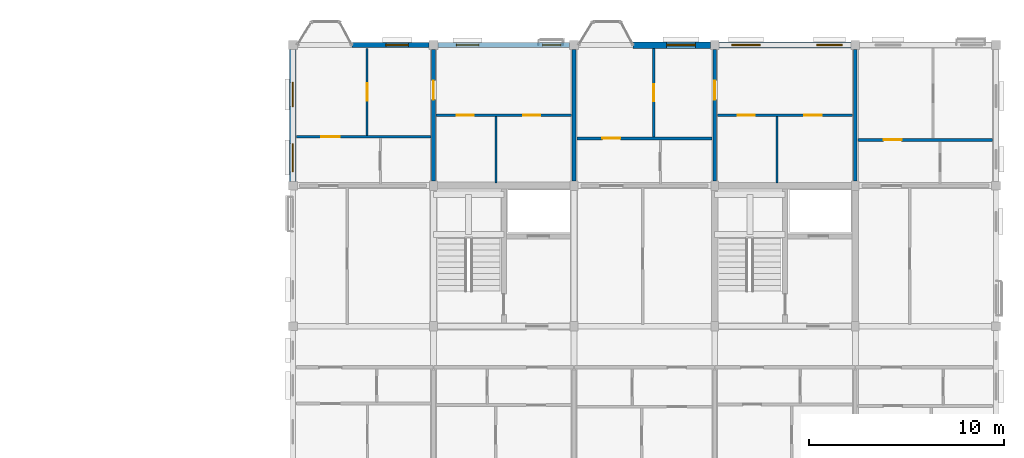
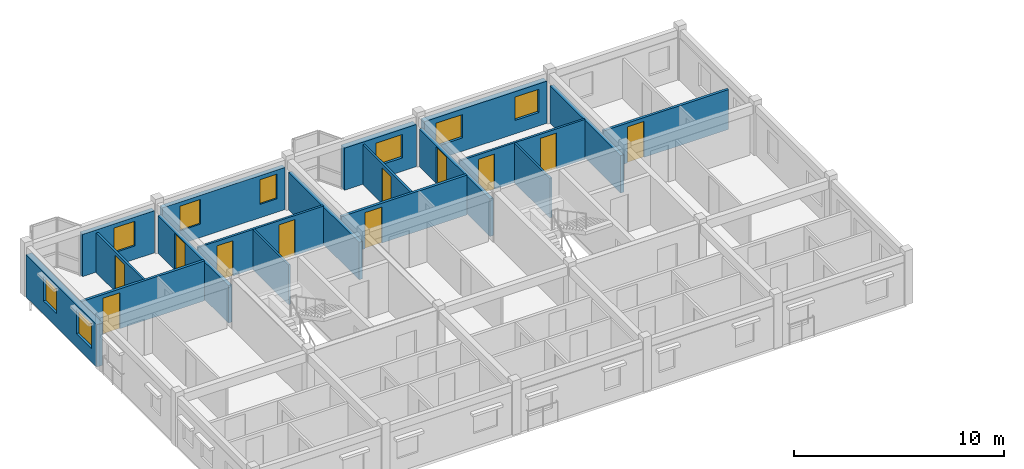
# One storey, part 24 of 28: 18 walls, 11 doors, 8 windows, 19 openings.
"""IFC4 building model written with IfcOpenShell, lengths in metres."""

from ifc_helpers import new_model, si_unit, direction, frame, frame_2d, origin, place, context, subcontext, project, spatial, rectangle, extrude, material, layer, layer_set, type_object, element, fill, save


model = new_model("IFC4")

# Units and contexts
model_context = context("Model", 3, precision=1e-05, world=origin(), true_north=direction((0.0, 1.0)))
body_context = subcontext(model_context, "Body", "Model", "MODEL_VIEW")
ifc_project = project(units=[si_unit("LENGTHUNIT", "METRE"), si_unit("AREAUNIT", "SQUARE_METRE"), si_unit("VOLUMEUNIT", "CUBIC_METRE"), si_unit("PLANEANGLEUNIT", "RADIAN"), si_unit("MASSUNIT", "GRAM", prefix="KILO"), si_unit("THERMODYNAMICTEMPERATUREUNIT", "KELVIN"), si_unit("POWERUNIT", "WATT")], contexts=[model_context])

# Site, building, storey
site_placement = place(None, origin())
site = spatial("IfcSite", under=ifc_project, at=site_placement, CompositionType="ELEMENT")
building_placement = place(site_placement, origin())
building = spatial("IfcBuilding", under=site, at=building_placement, Name="Tavuni Mirador Residences", CompositionType="ELEMENT")
storey_placement = place(building_placement, frame((0.0, 0.0, 39.14990234375)))
storey = spatial("IfcBuildingStorey", under=building, at=storey_placement, Name="L12", CompositionType="ELEMENT", Elevation=39.14990234375)

# Wall, opening, window
ifc_material_1 = material(Name="Precast concrete C40/50", Category="concrete")
ifc_layer_1 = layer(ifc_material_1, 0.330078125, Name="Precast concrete C40/50", Category="concrete")
ifc_layer_set_1 = layer_set([ifc_layer_1], Name="Precast concrete C40/50")
wall_type_1 = type_object("IfcWallType", Name="WT-EXT-COR330", PredefinedType="SOLIDWALL", material=ifc_layer_set_1)
wall_1_placement = place(storey_placement, frame((39.375, 172.800048828125, 0.0), z_axis=(0.0, 0.0, 1.0), x_axis=(-1.0, 0.0, 0.0)))
wall_1 = element("IfcWall", 1, at=wall_1_placement, inside=storey, type_object=wall_type_1, Name="EW-BLK-C-L12-N02", PredefinedType="SOLIDWALL", context=body_context, shape_type="SweptSolid", body=[
    extrude(rectangle(XDim=3.955078125, YDim=0.330078125, at=frame_2d((1.9775390625, 0.0))), origin(), (0.0, 0.0, 1.0), 2.455078125),
])
opening_1_placement = place(wall_1_placement, frame((0.7724609375, 0.0, 0.780029296875)))
opening_1 = element("IfcOpeningElement", 2, at=opening_1_placement, cuts=wall_1, Name="Opening WN-24", PredefinedType="OPENING", context=body_context, shape_type="SweptSolid", body=[
    extrude(rectangle(XDim=1.4599609375, YDim=1.360107421875, at=frame_2d((0.72998046875, 0.68017578125))), frame((0.0, 0.175048828125, 0.0), z_axis=(0.0, -1.0, 0.0), x_axis=(1.0, 0.0, 0.0)), (0.0, 0.0, 1.0), 0.35009765625),
])
ifc_material_2 = material(Name="Laminated solar-control glass", Category="glass")
window_type_1 = type_object("IfcWindowType", Name="WNT-24", PartitioningType="SINGLE_PANEL", PredefinedType="WINDOW", material=ifc_material_2)
window_1_placement = place(opening_1_placement, origin())
window_1 = element("IfcWindow", 3, at=window_1_placement, inside=storey, type_object=window_type_1, Name="WIN-1361", OverallHeight=1.360107421875, OverallWidth=1.4599609375, PartitioningType="SINGLE_PANEL", PredefinedType="WINDOW", context=body_context, shape_type="SweptSolid", body=[
    extrude(rectangle(XDim=1.4599609375, YDim=1.360107421875, at=frame_2d((0.72998046875, 0.68017578125))), frame((0.0, 0.030029296875, 0.0), z_axis=(0.0, -1.0, 0.0), x_axis=(1.0, 0.0, 0.0)), (0.0, 0.0, 1.0), 0.06005859375),
])
fill(opening_1, window_1)

# Wall, openings, windows
wall_2_placement = place(storey_placement, frame((18.0, 172.574951171875, 0.0), z_axis=(0.0, 0.0, 1.0), x_axis=(0.0, -1.0, 0.0)))
wall_2 = element("IfcWall", 4, at=wall_2_placement, inside=storey, type_object=wall_type_1, Name="EW-BLK-C-L12-W02", PredefinedType="SOLIDWALL", context=body_context, shape_type="SweptSolid", body=[
    extrude(rectangle(XDim=6.75, YDim=0.330078125, at=frame_2d((3.375, 0.0))), origin(), (0.0, 0.0, 1.0), 2.455078125),
])
opening_2_placement = place(wall_2_placement, frame((1.6826171875, 0.0, 0.780029296875)))
opening_2 = element("IfcOpeningElement", 5, at=opening_2_placement, cuts=wall_2, Name="Opening WN-28", PredefinedType="OPENING", context=body_context, shape_type="SweptSolid", body=[
    extrude(rectangle(XDim=1.25, YDim=1.43994140625, at=frame_2d((0.625, 0.719970703125))), frame((0.0, 0.175048828125, 0.0), z_axis=(0.0, -1.0, 0.0), x_axis=(1.0, 0.0, 0.0)), (0.0, 0.0, 1.0), 0.35009765625),
])
opening_3_placement = place(wall_2_placement, frame((4.8173828125, 0.0, 0.780029296875)))
opening_3 = element("IfcOpeningElement", 6, at=opening_3_placement, cuts=wall_2, Name="Opening WN-30", PredefinedType="OPENING", context=body_context, shape_type="SweptSolid", body=[
    extrude(rectangle(XDim=1.449951171875, YDim=1.43994140625, at=frame_2d((0.72509765625, 0.719970703125))), frame((0.0, 0.175048828125, 0.0), z_axis=(0.0, -1.0, 0.0), x_axis=(1.0, 0.0, 0.0)), (0.0, 0.0, 1.0), 0.35009765625),
])
window_type_2 = type_object("IfcWindowType", Name="WNT-28", PartitioningType="SINGLE_PANEL", PredefinedType="WINDOW", material=ifc_material_2)
window_2_placement = place(opening_2_placement, origin())
window_2 = element("IfcWindow", 7, at=window_2_placement, inside=storey, type_object=window_type_2, Name="WIN-1365", OverallHeight=1.43994140625, OverallWidth=1.25, PartitioningType="SINGLE_PANEL", PredefinedType="WINDOW", context=body_context, shape_type="SweptSolid", body=[
    extrude(rectangle(XDim=1.25, YDim=1.43994140625, at=frame_2d((0.625, 0.719970703125))), frame((0.0, 0.030029296875, 0.0), z_axis=(0.0, -1.0, 0.0), x_axis=(1.0, 0.0, 0.0)), (0.0, 0.0, 1.0), 0.06005859375),
])
fill(opening_2, window_2)
window_type_3 = type_object("IfcWindowType", Name="WNT-30", PartitioningType="SINGLE_PANEL", PredefinedType="WINDOW", material=ifc_material_2)
window_3_placement = place(opening_3_placement, origin())
window_3 = element("IfcWindow", 8, at=window_3_placement, inside=storey, type_object=window_type_3, Name="WIN-1366", OverallHeight=1.43994140625, OverallWidth=1.449951171875, PartitioningType="SINGLE_PANEL", PredefinedType="WINDOW", context=body_context, shape_type="SweptSolid", body=[
    extrude(rectangle(XDim=1.449951171875, YDim=1.43994140625, at=frame_2d((0.72509765625, 0.719970703125))), frame((0.0, 0.030029296875, 0.0), z_axis=(0.0, -1.0, 0.0), x_axis=(1.0, 0.0, 0.0)), (0.0, 0.0, 1.0), 0.06005859375),
])
fill(opening_3, window_3)

ifc_material_3 = material(Name="Sgraffito lime-rendered precast concrete C40/50", Category="concrete")
ifc_layer_2 = layer(ifc_material_3, 0.2451171875, Name="Sgraffito lime-rendered precast concrete C40/50", Category="concrete")
ifc_layer_set_2 = layer_set([ifc_layer_2], Name="Sgraffito lime-rendered precast concrete C40/50")
wall_type_2 = type_object("IfcWallType", Name="WT-EXT-PC245", PredefinedType="SOLIDWALL", material=ifc_layer_set_2)
wall_3_placement = place(storey_placement, frame((32.175048828125, 172.800048828125, 0.0), z_axis=(0.0, 0.0, 1.0), x_axis=(-1.0, 0.0, 0.0)))
wall_3 = element("IfcWall", 9, at=wall_3_placement, inside=storey, type_object=wall_type_2, Name="EW-BLK-C-L12-N01", PredefinedType="SOLIDWALL", context=body_context, shape_type="SweptSolid", body=[
    extrude(rectangle(XDim=6.75, YDim=0.2451171875, at=frame_2d((3.375, 0.0))), origin(), (0.0, 0.0, 1.0), 2.455078125),
])
opening_4_placement = place(wall_3_placement, frame((0.449951171875, 0.0, 0.780029296875)))
opening_4 = element("IfcOpeningElement", 10, at=opening_4_placement, cuts=wall_3, Name="Opening WN-25", PredefinedType="OPENING", context=body_context, shape_type="SweptSolid", body=[
    extrude(rectangle(XDim=0.93994140625, YDim=1.43994140625, at=frame_2d((0.469970703125, 0.719970703125))), frame((0.0, 0.132568359375, 0.0), z_axis=(0.0, -1.0, 0.0), x_axis=(1.0, 0.0, 0.0)), (0.0, 0.0, 1.0), 0.26513671875),
])
opening_5_placement = place(wall_3_placement, frame((4.64990234375, 0.0, 0.780029296875)))
opening_5 = element("IfcOpeningElement", 11, at=opening_5_placement, cuts=wall_3, Name="Opening WN-27", PredefinedType="OPENING", context=body_context, shape_type="SweptSolid", body=[
    extrude(rectangle(XDim=1.14990234375, YDim=1.43994140625, at=frame_2d((0.574951171875, 0.719970703125))), frame((0.0, 0.132568359375, 0.0), z_axis=(0.0, -1.0, 0.0), x_axis=(1.0, 0.0, 0.0)), (0.0, 0.0, 1.0), 0.26513671875),
])
window_type_4 = type_object("IfcWindowType", Name="WNT-25", PartitioningType="SINGLE_PANEL", PredefinedType="WINDOW", material=ifc_material_2)
window_4_placement = place(opening_4_placement, origin())
window_4 = element("IfcWindow", 12, at=window_4_placement, inside=storey, type_object=window_type_4, Name="WIN-1362", OverallHeight=1.43994140625, OverallWidth=0.93994140625, PartitioningType="SINGLE_PANEL", PredefinedType="WINDOW", context=body_context, shape_type="SweptSolid", body=[
    extrude(rectangle(XDim=0.93994140625, YDim=1.43994140625, at=frame_2d((0.469970703125, 0.719970703125))), frame((0.0, 0.030029296875, 0.0), z_axis=(0.0, -1.0, 0.0), x_axis=(1.0, 0.0, 0.0)), (0.0, 0.0, 1.0), 0.06005859375),
])
fill(opening_4, window_4)
window_type_5 = type_object("IfcWindowType", Name="WNT-27", PartitioningType="SINGLE_PANEL", PredefinedType="WINDOW", material=ifc_material_2)
window_5_placement = place(opening_5_placement, origin())
window_5 = element("IfcWindow", 13, at=window_5_placement, inside=storey, type_object=window_type_5, Name="WIN-1363", OverallHeight=1.43994140625, OverallWidth=1.14990234375, PartitioningType="SINGLE_PANEL", PredefinedType="WINDOW", context=body_context, shape_type="SweptSolid", body=[
    extrude(rectangle(XDim=1.14990234375, YDim=1.43994140625, at=frame_2d((0.574951171875, 0.719970703125))), frame((0.0, 0.030029296875, 0.0), z_axis=(0.0, -1.0, 0.0), x_axis=(1.0, 0.0, 0.0)), (0.0, 0.0, 1.0), 0.06005859375),
])
fill(opening_5, window_5)

# Wall, opening, window
ifc_layer_3 = layer(ifc_material_3, 0.2548828125, Name="Sgraffito lime-rendered precast concrete C40/50", Category="concrete")
ifc_layer_set_3 = layer_set([ifc_layer_3], Name="Sgraffito lime-rendered precast concrete C40/50")
wall_type_3 = type_object("IfcWallType", Name="WT-EXT-PC255", PredefinedType="SOLIDWALL", material=ifc_layer_set_3)
wall_4_placement = place(storey_placement, frame((24.97509765625, 172.800048828125, 0.0), z_axis=(0.0, 0.0, 1.0), x_axis=(-1.0, 0.0, 0.0)))
wall_4 = element("IfcWall", 14, at=wall_4_placement, inside=storey, type_object=wall_type_3, Name="EW-BLK-C-L12-N00", PredefinedType="SOLIDWALL", context=body_context, shape_type="SweptSolid", body=[
    extrude(rectangle(XDim=3.955078125, YDim=0.2548828125, at=frame_2d((1.9775390625, 0.0))), origin(), (0.0, 0.0, 1.0), 2.455078125),
])
opening_6_placement = place(wall_4_placement, frame((1.0673828125, 0.0, 0.780029296875)))
opening_6 = element("IfcOpeningElement", 15, at=opening_6_placement, cuts=wall_4, Name="Opening WN-27", PredefinedType="OPENING", context=body_context, shape_type="SweptSolid", body=[
    extrude(rectangle(XDim=1.14990234375, YDim=1.43994140625, at=frame_2d((0.574951171875, 0.719970703125))), frame((0.0, 0.137451171875, 0.0), z_axis=(0.0, -1.0, 0.0), x_axis=(1.0, 0.0, 0.0)), (0.0, 0.0, 1.0), 0.27490234375),
])
window_6_placement = place(opening_6_placement, origin())
window_6 = element("IfcWindow", 16, at=window_6_placement, inside=storey, type_object=window_type_5, Name="WIN-1364", OverallHeight=1.43994140625, OverallWidth=1.14990234375, PartitioningType="SINGLE_PANEL", PredefinedType="WINDOW", context=body_context, shape_type="SweptSolid", body=[
    extrude(rectangle(XDim=1.14990234375, YDim=1.43994140625, at=frame_2d((0.574951171875, 0.719970703125))), frame((0.0, 0.030029296875, 0.0), z_axis=(0.0, -1.0, 0.0), x_axis=(1.0, 0.0, 0.0)), (0.0, 0.0, 1.0), 0.06005859375),
])
fill(opening_6, window_6)

# Wall, openings, windows
ifc_layer_4 = layer(ifc_material_3, 0.31494140625, Name="Sgraffito lime-rendered precast concrete C40/50", Category="concrete")
ifc_layer_set_4 = layer_set([ifc_layer_4], Name="Sgraffito lime-rendered precast concrete C40/50")
wall_type_4 = type_object("IfcWallType", Name="WT-EXT-PC315", PredefinedType="SOLIDWALL", material=ifc_layer_set_4)
wall_5_placement = place(storey_placement, frame((46.574951171875, 172.800048828125, 0.0), z_axis=(0.0, 0.0, 1.0), x_axis=(-1.0, 0.0, 0.0)))
wall_5 = element("IfcWall", 17, at=wall_5_placement, inside=storey, type_object=wall_type_4, Name="EW-BLK-C-L12-N03", PredefinedType="SOLIDWALL", context=body_context, shape_type="SweptSolid", body=[
    extrude(rectangle(XDim=6.75, YDim=0.31494140625, at=frame_2d((3.375, 0.0))), origin(), (0.0, 0.0, 1.0), 2.455078125),
])
opening_7_placement = place(wall_5_placement, frame((0.449951171875, 0.0, 0.780029296875)))
opening_7 = element("IfcOpeningElement", 18, at=opening_7_placement, cuts=wall_5, Name="Opening WN-22", PredefinedType="OPENING", context=body_context, shape_type="SweptSolid", body=[
    extrude(rectangle(XDim=1.300048828125, YDim=1.360107421875, at=frame_2d((0.64990234375, 0.68017578125))), frame((0.0, 0.16748046875, 0.0), z_axis=(0.0, -1.0, 0.0), x_axis=(1.0, 0.0, 0.0)), (0.0, 0.0, 1.0), 0.3349609375),
])
opening_8_placement = place(wall_5_placement, frame((4.64990234375, 0.0, 0.780029296875)))
opening_8 = element("IfcOpeningElement", 19, at=opening_8_placement, cuts=wall_5, Name="Opening WN-24", PredefinedType="OPENING", context=body_context, shape_type="SweptSolid", body=[
    extrude(rectangle(XDim=1.4599609375, YDim=1.360107421875, at=frame_2d((0.72998046875, 0.68017578125))), frame((0.0, 0.16748046875, 0.0), z_axis=(0.0, -1.0, 0.0), x_axis=(1.0, 0.0, 0.0)), (0.0, 0.0, 1.0), 0.3349609375),
])
window_type_6 = type_object("IfcWindowType", Name="WNT-22", PartitioningType="SINGLE_PANEL", PredefinedType="WINDOW", material=ifc_material_2)
window_7_placement = place(opening_7_placement, origin())
window_7 = element("IfcWindow", 20, at=window_7_placement, inside=storey, type_object=window_type_6, Name="WIN-1359", OverallHeight=1.360107421875, OverallWidth=1.300048828125, PartitioningType="SINGLE_PANEL", PredefinedType="WINDOW", context=body_context, shape_type="SweptSolid", body=[
    extrude(rectangle(XDim=1.300048828125, YDim=1.360107421875, at=frame_2d((0.64990234375, 0.68017578125))), frame((0.0, 0.030029296875, 0.0), z_axis=(0.0, -1.0, 0.0), x_axis=(1.0, 0.0, 0.0)), (0.0, 0.0, 1.0), 0.06005859375),
])
fill(opening_7, window_7)
window_8_placement = place(opening_8_placement, origin())
window_8 = element("IfcWindow", 21, at=window_8_placement, inside=storey, type_object=window_type_1, Name="WIN-1360", OverallHeight=1.360107421875, OverallWidth=1.4599609375, PartitioningType="SINGLE_PANEL", PredefinedType="WINDOW", context=body_context, shape_type="SweptSolid", body=[
    extrude(rectangle(XDim=1.4599609375, YDim=1.360107421875, at=frame_2d((0.72998046875, 0.68017578125))), frame((0.0, 0.030029296875, 0.0), z_axis=(0.0, -1.0, 0.0), x_axis=(1.0, 0.0, 0.0)), (0.0, 0.0, 1.0), 0.06005859375),
])
fill(opening_8, window_8)

# Walls
ifc_material_4 = material(Name="Acoustic gypsum and concrete block partition", Category="concrete")
ifc_layer_5 = layer(ifc_material_4, 0.10498046875, Name="Acoustic gypsum and concrete block partition", Category="concrete")
ifc_layer_set_5 = layer_set([ifc_layer_5], Name="Acoustic gypsum and concrete block partition")
wall_type_5 = type_object("IfcWallType", Name="WT-PART105", PredefinedType="PARTITIONING", material=ifc_layer_set_5)
for number, where, z_axis, x_axis, name in (
    (22, (28.39990234375, 165.739990234375, 0.0), (0.0, 0.0, 1.0), (0.0, 1.0, 0.0), "PW-BLK-C-L12-NC01-V"),
    (23, (42.800048828125, 165.739990234375, 0.0), (0.0, 0.0, 1.0), (0.0, 1.0, 0.0), "PW-BLK-C-L12-NC03-V"),
):
    element("IfcWall", number, at=place(storey_placement, frame(where, z_axis=z_axis, x_axis=x_axis)), inside=storey, type_object=wall_type_5, Name=name, PredefinedType="PARTITIONING", context=body_context, shape_type="SweptSolid", body=[
        extrude(rectangle(XDim=3.389892578125, YDim=0.10498046875, at=frame_2d((1.69482421875, 0.0))), origin(), (0.0, 0.0, 1.0), 2.320068359375),
    ])

# Wall, opening, door
ifc_layer_6 = layer(ifc_material_4, 0.114990234375, Name="Acoustic gypsum and concrete block partition", Category="concrete")
ifc_layer_set_6 = layer_set([ifc_layer_6], Name="Acoustic gypsum and concrete block partition")
wall_type_6 = type_object("IfcWallType", Name="WT-PART115", PredefinedType="PARTITIONING", material=ifc_layer_set_6)
wall_6_placement = place(storey_placement, frame((21.800048828125, 168.169921875, 0.0), z_axis=(0.0, 0.0, 1.0), x_axis=(0.0, 1.0, 0.0)))
wall_6 = element("IfcWall", 24, at=wall_6_placement, inside=storey, type_object=wall_type_6, Name="PW-BLK-C-L12-N00-OUT", PredefinedType="PARTITIONING", context=body_context, shape_type="SweptSolid", body=[
    extrude(rectangle(XDim=4.455078125, YDim=0.114990234375, at=frame_2d((2.2275390625, 0.0))), origin(), (0.0, 0.0, 1.0), 2.320068359375),
])
opening_9_placement = place(wall_6_placement, frame((1.777587890625, 0.0, 0.0)))
opening_9 = element("IfcOpeningElement", 25, at=opening_9_placement, cuts=wall_6, Name="Opening D-07", PredefinedType="OPENING", context=body_context, shape_type="SweptSolid", body=[
    extrude(rectangle(XDim=0.89990234375, YDim=2.10009765625, at=frame_2d((0.449951171875, 1.050048828125))), frame((0.0, 0.0673828125, 0.0), z_axis=(0.0, -1.0, 0.0), x_axis=(1.0, 0.0, 0.0)), (0.0, 0.0, 1.0), 0.135009765625),
])
ifc_material_5 = material(Name="Solid core iroko timber", Category="wood")
door_type_1 = type_object("IfcDoorType", Name="DT-BED900", OperationType="NOTDEFINED", PredefinedType="DOOR", material=ifc_material_5)
door_1_placement = place(opening_9_placement, origin())
door_1 = element("IfcDoor", 26, at=door_1_placement, inside=storey, type_object=door_type_1, Name="DR-4231", OperationType="SINGLE_SWING_RIGHT", OverallHeight=2.10009765625, OverallWidth=0.89990234375, PredefinedType="DOOR", context=body_context, shape_type="SweptSolid", body=[
    extrude(rectangle(XDim=0.89990234375, YDim=2.10009765625, at=frame_2d((0.449951171875, 1.050048828125))), frame((0.0, 0.02490234375, 0.0), z_axis=(0.0, -1.0, 0.0), x_axis=(1.0, 0.0, 0.0)), (0.0, 0.0, 1.0), 0.050048828125),
])
fill(opening_9, door_1)

# Wall, openings, doors
wall_7_placement = place(storey_placement, frame((25.340087890625, 169.199951171875, 0.0), z_axis=(0.0, 0.0, 1.0), x_axis=(1.0, 0.0, 0.0)))
wall_7 = element("IfcWall", 27, at=wall_7_placement, inside=storey, type_object=wall_type_6, Name="PW-BLK-C-L12-NC01-M", PredefinedType="PARTITIONING", context=body_context, shape_type="SweptSolid", body=[
    extrude(rectangle(XDim=6.919921875, YDim=0.114990234375, at=frame_2d((3.4599609375, 0.0))), origin(), (0.0, 0.0, 1.0), 2.320068359375),
])
opening_10_placement = place(wall_7_placement, frame((1.050048828125, 0.0, 0.0)))
opening_10 = element("IfcOpeningElement", 28, at=opening_10_placement, cuts=wall_7, Name="Opening D-10", PredefinedType="OPENING", context=body_context, shape_type="SweptSolid", body=[
    extrude(rectangle(XDim=0.8701171875, YDim=2.050048828125, at=frame_2d((0.43505859375, 1.02490234375))), frame((0.0, 0.0673828125, 0.0), z_axis=(0.0, -1.0, 0.0), x_axis=(1.0, 0.0, 0.0)), (0.0, 0.0, 1.0), 0.135009765625),
])
opening_11_placement = place(wall_7_placement, frame((4.449951171875, 0.0, 0.0)))
opening_11 = element("IfcOpeningElement", 29, at=opening_11_placement, cuts=wall_7, Name="Opening D-08", PredefinedType="OPENING", context=body_context, shape_type="SweptSolid", body=[
    extrude(rectangle(XDim=0.8798828125, YDim=2.080078125, at=frame_2d((0.43994140625, 1.0400390625))), frame((0.0, 0.0673828125, 0.0), z_axis=(0.0, -1.0, 0.0), x_axis=(1.0, 0.0, 0.0)), (0.0, 0.0, 1.0), 0.135009765625),
])
door_type_2 = type_object("IfcDoorType", Name="DT-BED880", OperationType="NOTDEFINED", PredefinedType="DOOR", material=ifc_material_5)
door_2_placement = place(opening_11_placement, origin())
door_2 = element("IfcDoor", 30, at=door_2_placement, inside=storey, type_object=door_type_2, Name="DR-4238", OperationType="SINGLE_SWING_RIGHT", OverallHeight=2.080078125, OverallWidth=0.8798828125, PredefinedType="DOOR", context=body_context, shape_type="SweptSolid", body=[
    extrude(rectangle(XDim=0.8798828125, YDim=2.080078125, at=frame_2d((0.43994140625, 1.0400390625))), frame((0.0, 0.02490234375, 0.0), z_axis=(0.0, -1.0, 0.0), x_axis=(1.0, 0.0, 0.0)), (0.0, 0.0, 1.0), 0.050048828125),
])
fill(opening_11, door_2)
door_type_3 = type_object("IfcDoorType", Name="DT-WC870", OperationType="NOTDEFINED", PredefinedType="DOOR", material=ifc_material_5)
door_3_placement = place(opening_10_placement, origin())
door_3 = element("IfcDoor", 31, at=door_3_placement, inside=storey, type_object=door_type_3, Name="DR-4237", OperationType="SINGLE_SWING_LEFT", OverallHeight=2.050048828125, OverallWidth=0.8701171875, PredefinedType="DOOR", context=body_context, shape_type="SweptSolid", body=[
    extrude(rectangle(XDim=0.8701171875, YDim=2.050048828125, at=frame_2d((0.43505859375, 1.02490234375))), frame((0.0, 0.02490234375, 0.0), z_axis=(0.0, -1.0, 0.0), x_axis=(1.0, 0.0, 0.0)), (0.0, 0.0, 1.0), 0.050048828125),
])
fill(opening_10, door_3)

# Wall, opening, door
wall_8_placement = place(storey_placement, frame((36.47998046875, 168.090087890625, 0.0), z_axis=(0.0, 0.0, 1.0), x_axis=(0.0, 1.0, 0.0)))
wall_8 = element("IfcWall", 32, at=wall_8_placement, inside=storey, type_object=wall_type_6, Name="PW-BLK-C-L12-N02-OUT", PredefinedType="PARTITIONING", context=body_context, shape_type="SweptSolid", body=[
    extrude(rectangle(XDim=4.534912109375, YDim=0.114990234375, at=frame_2d((2.267578125, 0.0))), origin(), (0.0, 0.0, 1.0), 2.320068359375),
])
opening_12_placement = place(wall_8_placement, frame((1.827392578125, 0.0, 0.0)))
opening_12 = element("IfcOpeningElement", 33, at=opening_12_placement, cuts=wall_8, Name="Opening D-08", PredefinedType="OPENING", context=body_context, shape_type="SweptSolid", body=[
    extrude(rectangle(XDim=0.8798828125, YDim=2.080078125, at=frame_2d((0.43994140625, 1.0400390625))), frame((0.0, 0.0673828125, 0.0), z_axis=(0.0, -1.0, 0.0), x_axis=(1.0, 0.0, 0.0)), (0.0, 0.0, 1.0), 0.135009765625),
])
door_4_placement = place(opening_12_placement, origin())
door_4 = element("IfcDoor", 34, at=door_4_placement, inside=storey, type_object=door_type_2, Name="DR-4243", OperationType="SINGLE_SWING_LEFT", OverallHeight=2.080078125, OverallWidth=0.8798828125, PredefinedType="DOOR", context=body_context, shape_type="SweptSolid", body=[
    extrude(rectangle(XDim=0.8798828125, YDim=2.080078125, at=frame_2d((0.43994140625, 1.0400390625))), frame((0.0, 0.02490234375, 0.0), z_axis=(0.0, -1.0, 0.0), x_axis=(1.0, 0.0, 0.0)), (0.0, 0.0, 1.0), 0.050048828125),
])
fill(opening_12, door_4)

# Wall, openings, doors
wall_9_placement = place(storey_placement, frame((39.739990234375, 169.199951171875, 0.0), z_axis=(0.0, 0.0, 1.0), x_axis=(1.0, 0.0, 0.0)))
wall_9 = element("IfcWall", 35, at=wall_9_placement, inside=storey, type_object=wall_type_6, Name="PW-BLK-C-L12-NC03-M", PredefinedType="PARTITIONING", context=body_context, shape_type="SweptSolid", body=[
    extrude(rectangle(XDim=6.919921875, YDim=0.114990234375, at=frame_2d((3.4599609375, 0.0))), origin(), (0.0, 0.0, 1.0), 2.320068359375),
])
opening_13_placement = place(wall_9_placement, frame((1.050048828125, 0.0, 0.0)))
opening_13 = element("IfcOpeningElement", 36, at=opening_13_placement, cuts=wall_9, Name="Opening D-10", PredefinedType="OPENING", context=body_context, shape_type="SweptSolid", body=[
    extrude(rectangle(XDim=0.8701171875, YDim=2.050048828125, at=frame_2d((0.43505859375, 1.02490234375))), frame((0.0, 0.0673828125, 0.0), z_axis=(0.0, -1.0, 0.0), x_axis=(1.0, 0.0, 0.0)), (0.0, 0.0, 1.0), 0.135009765625),
])
opening_14_placement = place(wall_9_placement, frame((4.449951171875, 0.0, 0.0)))
opening_14 = element("IfcOpeningElement", 37, at=opening_14_placement, cuts=wall_9, Name="Opening D-08", PredefinedType="OPENING", context=body_context, shape_type="SweptSolid", body=[
    extrude(rectangle(XDim=0.8798828125, YDim=2.080078125, at=frame_2d((0.43994140625, 1.0400390625))), frame((0.0, 0.0673828125, 0.0), z_axis=(0.0, -1.0, 0.0), x_axis=(1.0, 0.0, 0.0)), (0.0, 0.0, 1.0), 0.135009765625),
])
door_5_placement = place(opening_14_placement, origin())
door_5 = element("IfcDoor", 38, at=door_5_placement, inside=storey, type_object=door_type_2, Name="DR-4250", OperationType="SINGLE_SWING_RIGHT", OverallHeight=2.080078125, OverallWidth=0.8798828125, PredefinedType="DOOR", context=body_context, shape_type="SweptSolid", body=[
    extrude(rectangle(XDim=0.8798828125, YDim=2.080078125, at=frame_2d((0.43994140625, 1.0400390625))), frame((0.0, 0.02490234375, 0.0), z_axis=(0.0, -1.0, 0.0), x_axis=(1.0, 0.0, 0.0)), (0.0, 0.0, 1.0), 0.050048828125),
])
fill(opening_14, door_5)
door_6_placement = place(opening_13_placement, origin())
door_6 = element("IfcDoor", 39, at=door_6_placement, inside=storey, type_object=door_type_3, Name="DR-4249", OperationType="SINGLE_SWING_LEFT", OverallHeight=2.050048828125, OverallWidth=0.8701171875, PredefinedType="DOOR", context=body_context, shape_type="SweptSolid", body=[
    extrude(rectangle(XDim=0.8701171875, YDim=2.050048828125, at=frame_2d((0.43505859375, 1.02490234375))), frame((0.0, 0.02490234375, 0.0), z_axis=(0.0, -1.0, 0.0), x_axis=(1.0, 0.0, 0.0)), (0.0, 0.0, 1.0), 0.050048828125),
])
fill(opening_13, door_6)

# Wall, opening, door
ifc_layer_7 = layer(ifc_material_4, 0.139892578125, Name="Acoustic gypsum and concrete block partition", Category="concrete")
ifc_layer_set_7 = layer_set([ifc_layer_7], Name="Acoustic gypsum and concrete block partition")
wall_type_7 = type_object("IfcWallType", Name="WT-PART140", PredefinedType="PARTITIONING", material=ifc_layer_set_7)
wall_10_placement = place(storey_placement, frame((18.175048828125, 168.10009765625, 0.0), z_axis=(0.0, 0.0, 1.0), x_axis=(1.0, 0.0, 0.0)))
wall_10 = element("IfcWall", 40, at=wall_10_placement, inside=storey, type_object=wall_type_7, Name="PW-BLK-C-L12-N00-MID", PredefinedType="PARTITIONING", context=body_context, shape_type="SweptSolid", body=[
    extrude(rectangle(XDim=6.885009765625, YDim=0.139892578125, at=frame_2d((3.4423828125, 0.0))), origin(), (0.0, 0.0, 1.0), 2.320068359375),
])
opening_15_placement = place(wall_10_placement, frame((1.27490234375, 0.0, 0.0)))
opening_15 = element("IfcOpeningElement", 41, at=opening_15_placement, cuts=wall_10, Name="Opening D-05", PredefinedType="OPENING", context=body_context, shape_type="SweptSolid", body=[
    extrude(rectangle(XDim=0.949951171875, YDim=2.10009765625, at=frame_2d((0.47509765625, 1.050048828125))), frame((0.0, 0.080078125, 0.0), z_axis=(0.0, -1.0, 0.0), x_axis=(1.0, 0.0, 0.0)), (0.0, 0.0, 1.0), 0.159912109375),
])
door_type_4 = type_object("IfcDoorType", Name="DT-INT950", OperationType="NOTDEFINED", PredefinedType="DOOR", material=ifc_material_5)
door_7_placement = place(opening_15_placement, origin())
door_7 = element("IfcDoor", 42, at=door_7_placement, inside=storey, type_object=door_type_4, Name="DR-4233", OperationType="SINGLE_SWING_LEFT", OverallHeight=2.10009765625, OverallWidth=0.949951171875, PredefinedType="DOOR", context=body_context, shape_type="SweptSolid", body=[
    extrude(rectangle(XDim=0.949951171875, YDim=2.10009765625, at=frame_2d((0.47509765625, 1.050048828125))), frame((0.0, 0.02490234375, 0.0), z_axis=(0.0, -1.0, 0.0), x_axis=(1.0, 0.0, 0.0)), (0.0, 0.0, 1.0), 0.050048828125),
])
fill(opening_15, door_7)

wall_11_placement = place(storey_placement, frame((32.5400390625, 168.02001953125, 0.0), z_axis=(0.0, 0.0, 1.0), x_axis=(1.0, 0.0, 0.0)))
wall_11 = element("IfcWall", 43, at=wall_11_placement, inside=storey, type_object=wall_type_7, Name="PW-BLK-C-L12-N02-MID", PredefinedType="PARTITIONING", context=body_context, shape_type="SweptSolid", body=[
    extrude(rectangle(XDim=6.919921875, YDim=0.139892578125, at=frame_2d((3.4599609375, 0.0))), origin(), (0.0, 0.0, 1.0), 2.320068359375),
])
opening_16_placement = place(wall_11_placement, frame((1.31005859375, 0.0, 0.0)))
opening_16 = element("IfcOpeningElement", 44, at=opening_16_placement, cuts=wall_11, Name="Opening D-06", PredefinedType="OPENING", context=body_context, shape_type="SweptSolid", body=[
    extrude(rectangle(XDim=0.919921875, YDim=2.10009765625, at=frame_2d((0.4599609375, 1.050048828125))), frame((0.0, 0.080078125, 0.0), z_axis=(0.0, -1.0, 0.0), x_axis=(1.0, 0.0, 0.0)), (0.0, 0.0, 1.0), 0.159912109375),
])
door_type_5 = type_object("IfcDoorType", Name="DT-INT920", OperationType="NOTDEFINED", PredefinedType="DOOR", material=ifc_material_5)
door_8_placement = place(opening_16_placement, origin())
door_8 = element("IfcDoor", 45, at=door_8_placement, inside=storey, type_object=door_type_5, Name="DR-4245", OperationType="SINGLE_SWING_RIGHT", OverallHeight=2.10009765625, OverallWidth=0.919921875, PredefinedType="DOOR", context=body_context, shape_type="SweptSolid", body=[
    extrude(rectangle(XDim=0.919921875, YDim=2.10009765625, at=frame_2d((0.4599609375, 1.050048828125))), frame((0.0, 0.02490234375, 0.0), z_axis=(0.0, -1.0, 0.0), x_axis=(1.0, 0.0, 0.0)), (0.0, 0.0, 1.0), 0.050048828125),
])
fill(opening_16, door_8)

wall_12_placement = place(storey_placement, frame((46.93994140625, 167.93994140625, 0.0), z_axis=(0.0, 0.0, 1.0), x_axis=(1.0, 0.0, 0.0)))
wall_12 = element("IfcWall", 46, at=wall_12_placement, inside=storey, type_object=wall_type_7, Name="PW-BLK-C-L12-N04-MID", PredefinedType="PARTITIONING", context=body_context, shape_type="SweptSolid", body=[
    extrude(rectangle(XDim=6.885009765625, YDim=0.139892578125, at=frame_2d((3.4423828125, 0.0))), origin(), (0.0, 0.0, 1.0), 2.320068359375),
])
opening_17_placement = place(wall_12_placement, frame((1.31005859375, 0.0, 0.0)))
opening_17 = element("IfcOpeningElement", 47, at=opening_17_placement, cuts=wall_12, Name="Opening D-06", PredefinedType="OPENING", context=body_context, shape_type="SweptSolid", body=[
    extrude(rectangle(XDim=0.919921875, YDim=2.10009765625, at=frame_2d((0.4599609375, 1.050048828125))), frame((0.0, 0.080078125, 0.0), z_axis=(0.0, -1.0, 0.0), x_axis=(1.0, 0.0, 0.0)), (0.0, 0.0, 1.0), 0.159912109375),
])
door_9_placement = place(opening_17_placement, origin())
door_9 = element("IfcDoor", 48, at=door_9_placement, inside=storey, type_object=door_type_5, Name="DR-4257", OperationType="SINGLE_SWING_RIGHT", OverallHeight=2.10009765625, OverallWidth=0.919921875, PredefinedType="DOOR", context=body_context, shape_type="SweptSolid", body=[
    extrude(rectangle(XDim=0.919921875, YDim=2.10009765625, at=frame_2d((0.4599609375, 1.050048828125))), frame((0.0, 0.02490234375, 0.0), z_axis=(0.0, -1.0, 0.0), x_axis=(1.0, 0.0, 0.0)), (0.0, 0.0, 1.0), 0.050048828125),
])
fill(opening_17, door_9)

ifc_layer_8 = layer(ifc_material_1, 0.195068359375, Name="Precast concrete C40/50", Category="concrete")
ifc_layer_set_8 = layer_set([ifc_layer_8], Name="Precast concrete C40/50")
wall_type_8 = type_object("IfcWallType", Name="WT-XW195", PredefinedType="SOLIDWALL", material=ifc_layer_set_8)
wall_13_placement = place(storey_placement, frame((25.199951171875, 165.85009765625, 0.0), z_axis=(0.0, 0.0, 1.0), x_axis=(0.0, 1.0, 0.0)))
wall_13 = element("IfcWall", 49, at=wall_13_placement, inside=storey, type_object=wall_type_8, Name="XW-BLK-C-L12-N-01", PredefinedType="SOLIDWALL", context=body_context, shape_type="SweptSolid", body=[
    extrude(rectangle(XDim=6.724853515625, YDim=0.195068359375, at=frame_2d((3.3623046875, 0.0))), origin(), (0.0, 0.0, 1.0), 2.18505859375),
])
opening_18_placement = place(wall_13_placement, frame((4.14990234375, 0.0, 0.0)))
opening_18 = element("IfcOpeningElement", 50, at=opening_18_placement, cuts=wall_13, Name="Opening D-04", PredefinedType="OPENING", context=body_context, shape_type="SweptSolid", body=[
    extrude(rectangle(XDim=0.97998046875, YDim=2.1201171875, at=frame_2d((0.489990234375, 1.06005859375))), frame((0.0, 0.107421875, 0.0), z_axis=(0.0, -1.0, 0.0), x_axis=(1.0, 0.0, 0.0)), (0.0, 0.0, 1.0), 0.215087890625),
])
door_type_6 = type_object("IfcDoorType", Name="DT-FD60-980", OperationType="NOTDEFINED", PredefinedType="DOOR", material=ifc_material_5)
door_10_placement = place(opening_18_placement, origin())
door_10 = element("IfcDoor", 51, at=door_10_placement, inside=storey, type_object=door_type_6, Name="DR-4752", OperationType="SINGLE_SWING_LEFT", OverallHeight=2.1201171875, OverallWidth=0.97998046875, PredefinedType="DOOR", context=body_context, shape_type="SweptSolid", body=[
    extrude(rectangle(XDim=0.97998046875, YDim=2.1201171875, at=frame_2d((0.489990234375, 1.06005859375))), frame((0.0, 0.02490234375, 0.0), z_axis=(0.0, -1.0, 0.0), x_axis=(1.0, 0.0, 0.0)), (0.0, 0.0, 1.0), 0.050048828125),
])
fill(opening_18, door_10)

# Wall
wall_14_placement = place(storey_placement, frame((32.39990234375, 165.85009765625, 0.0), z_axis=(0.0, 0.0, 1.0), x_axis=(0.0, 1.0, 0.0)))
element("IfcWall", 52, at=wall_14_placement, inside=storey, type_object=wall_type_8, Name="XW-BLK-C-L12-N-02", PredefinedType="SOLIDWALL", context=body_context, shape_type="SweptSolid", body=[
    extrude(rectangle(XDim=6.724853515625, YDim=0.195068359375, at=frame_2d((3.3623046875, 0.0))), origin(), (0.0, 0.0, 1.0), 2.18505859375),
])

# Wall, opening, door
wall_15_placement = place(storey_placement, frame((39.60009765625, 165.85009765625, 0.0), z_axis=(0.0, 0.0, 1.0), x_axis=(0.0, 1.0, 0.0)))
wall_15 = element("IfcWall", 53, at=wall_15_placement, inside=storey, type_object=wall_type_8, Name="XW-BLK-C-L12-N-03", PredefinedType="SOLIDWALL", context=body_context, shape_type="SweptSolid", body=[
    extrude(rectangle(XDim=6.724853515625, YDim=0.195068359375, at=frame_2d((3.3623046875, 0.0))), origin(), (0.0, 0.0, 1.0), 2.18505859375),
])
opening_19_placement = place(wall_15_placement, frame((4.14990234375, 0.0, 0.0)))
opening_19 = element("IfcOpeningElement", 54, at=opening_19_placement, cuts=wall_15, Name="Opening D-04", PredefinedType="OPENING", context=body_context, shape_type="SweptSolid", body=[
    extrude(rectangle(XDim=0.97998046875, YDim=2.1201171875, at=frame_2d((0.489990234375, 1.06005859375))), frame((0.0, 0.107421875, 0.0), z_axis=(0.0, -1.0, 0.0), x_axis=(1.0, 0.0, 0.0)), (0.0, 0.0, 1.0), 0.215087890625),
])
door_11_placement = place(opening_19_placement, origin())
door_11 = element("IfcDoor", 55, at=door_11_placement, inside=storey, type_object=door_type_6, Name="DR-4753", OperationType="SINGLE_SWING_RIGHT", OverallHeight=2.1201171875, OverallWidth=0.97998046875, PredefinedType="DOOR", context=body_context, shape_type="SweptSolid", body=[
    extrude(rectangle(XDim=0.97998046875, YDim=2.1201171875, at=frame_2d((0.489990234375, 1.06005859375))), frame((0.0, 0.02490234375, 0.0), z_axis=(0.0, -1.0, 0.0), x_axis=(1.0, 0.0, 0.0)), (0.0, 0.0, 1.0), 0.050048828125),
])
fill(opening_19, door_11)

# Wall
wall_16_placement = place(storey_placement, frame((46.800048828125, 165.85009765625, 0.0), z_axis=(0.0, 0.0, 1.0), x_axis=(0.0, 1.0, 0.0)))
element("IfcWall", 56, at=wall_16_placement, inside=storey, type_object=wall_type_8, Name="XW-BLK-C-L12-N-04", PredefinedType="SOLIDWALL", context=body_context, shape_type="SweptSolid", body=[
    extrude(rectangle(XDim=6.724853515625, YDim=0.195068359375, at=frame_2d((3.3623046875, 0.0))), origin(), (0.0, 0.0, 1.0), 2.18505859375),
])

save(model, "model.ifc")
